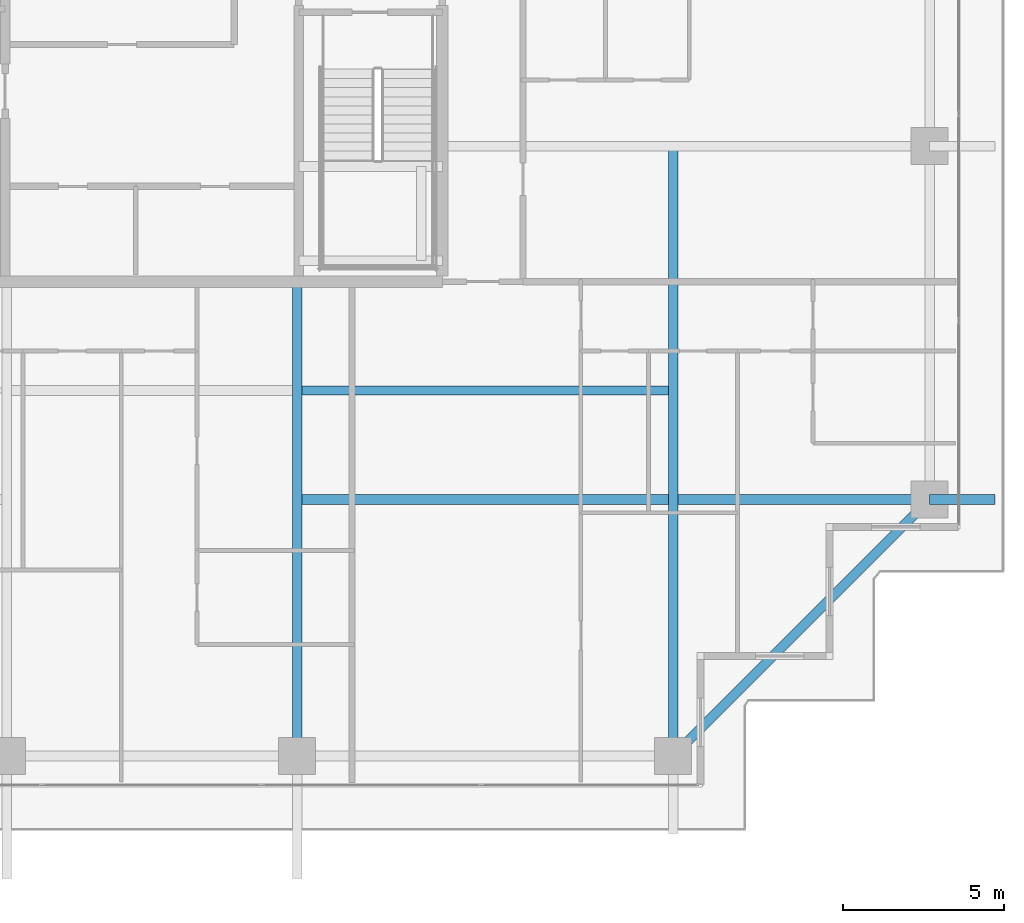
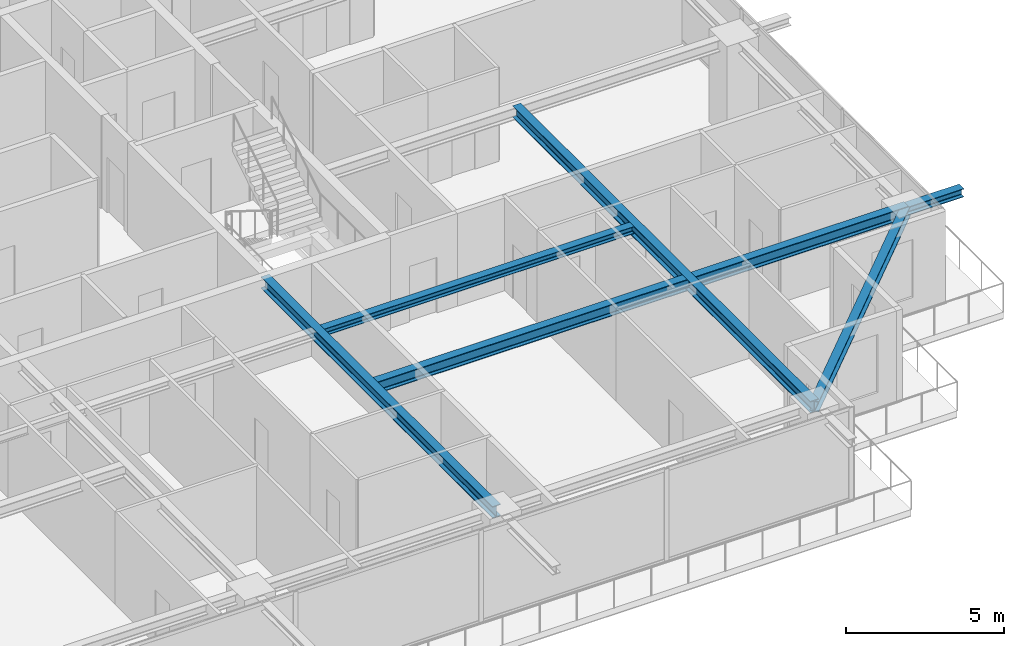
# One storey, part 13 of 38: 6 beams.
"""IFC4 building model written with IfcOpenShell, lengths in metres."""

from ifc_helpers import new_model, si_unit, direction, frame, origin, origin_2d, place, context, subcontext, project, spatial, i_section, extrude, source, transform, mapped, material, material_profile, profile_set, type_object, element, save


model = new_model("IFC4")

# Units and contexts
model_context = context("Model", 3, precision=1e-05, world=origin(), true_north=direction((0.0, 1.0)))
body_context = subcontext(model_context, "Body", "Model", "MODEL_VIEW")
ifc_project = project(units=[si_unit("LENGTHUNIT", "METRE"), si_unit("AREAUNIT", "SQUARE_METRE"), si_unit("VOLUMEUNIT", "CUBIC_METRE"), si_unit("PLANEANGLEUNIT", "RADIAN"), si_unit("MASSUNIT", "GRAM", prefix="KILO")], contexts=[model_context])

# Site, building, storey
site_placement = place(None, origin())
site = spatial("IfcSite", under=ifc_project, at=site_placement, CompositionType="ELEMENT")
building_placement = place(site_placement, origin())
building = spatial("IfcBuilding", under=site, at=building_placement, Name="Serunith Strait Residences", CompositionType="ELEMENT")
storey_placement = place(building_placement, frame((0.0, 0.0, 268.199951171875)))
storey = spatial("IfcBuildingStorey", under=building, at=storey_placement, Name="L67", CompositionType="ELEMENT", Elevation=268.199951171875)

# Beams
ifc_material = material(Name="Steel S355J2", Category="steel")
ifc_material_profile_1 = material_profile(ifc_material, i_section(OverallWidth=0.300048828125, OverallDepth=0.449951171875, WebThickness=0.013916015625, FlangeThickness=0.02587890625, FilletRadius=0.027099609375, at=origin_2d()), Name="HEB 450")
ifc_profile_set_1 = profile_set([ifc_material_profile_1], Name="Steel S355J2")
beam_type_1 = type_object("IfcBeamType", Name="BM-HEB450", PredefinedType="BEAM", material=ifc_profile_set_1)
shared_shape_1 = source(origin(), body_context, "Body", "SweptSolid", [
    extrude(i_section(OverallWidth=0.300048828125, OverallDepth=0.449951171875, WebThickness=0.013916015625, FlangeThickness=0.02587890625, FilletRadius=0.027099609375, at=origin_2d()), origin(), (0.0, 0.0, 1.0), 14.699951171875),
])
beam_1_placement = place(storey_placement, frame((36.89990234375, 16.800048828125, 3.362060546875), z_axis=(0.0, -1.0, 0.0), x_axis=(1.0, 0.0, 0.0)))
element("IfcBeam", 1, at=beam_1_placement, inside=storey, type_object=beam_type_1, Name="L67 Primary Floor Girder TC-S3", PredefinedType="BEAM", context=body_context, shape_type="MappedRepresentation", body=[
    mapped(shared_shape_1, transform((0.0, 0.0, 0.0), scale=1.0)),
])
shared_shape_2 = source(origin(), body_context, "Body", "SweptSolid", [
    extrude(i_section(OverallWidth=0.300048828125, OverallDepth=0.449951171875, WebThickness=0.013916015625, FlangeThickness=0.02587890625, FilletRadius=0.027099609375, at=origin_2d()), origin(), (0.0, 0.0, 1.0), 18.89990234375),
])
beam_2_placement = place(storey_placement, frame((48.550048828125, 21.0, 3.362060546875), z_axis=(0.0, -1.0, 0.0), x_axis=(1.0, 0.0, 0.0)))
element("IfcBeam", 2, at=beam_2_placement, inside=storey, type_object=beam_type_1, Name="L67 Orthogonal Corner Girder TC-S4", PredefinedType="BEAM", context=body_context, shape_type="MappedRepresentation", body=[
    mapped(shared_shape_2, transform((0.0, 0.0, 0.0), scale=1.0)),
])
shared_shape_3 = source(origin(), body_context, "Body", "SweptSolid", [
    extrude(i_section(OverallWidth=0.300048828125, OverallDepth=0.449951171875, WebThickness=0.013916015625, FlangeThickness=0.02587890625, FilletRadius=0.027099609375, at=origin_2d()), origin(), (0.0, 0.0, 1.0), 19.60009765625),
])
beam_3_placement = place(storey_placement, frame((36.89990234375, 10.050048828125, 3.362060546875), z_axis=(1.0, 0.0, 0.0), x_axis=(0.0, 1.0, 0.0)))
element("IfcBeam", 3, at=beam_3_placement, inside=storey, type_object=beam_type_1, Name="L67 Orthogonal Corner Girder TC-E1", PredefinedType="BEAM", context=body_context, shape_type="MappedRepresentation", body=[
    mapped(shared_shape_3, transform((0.0, 0.0, 0.0), scale=1.0)),
])
ifc_material_profile_2 = material_profile(ifc_material, i_section(OverallWidth=0.300048828125, OverallDepth=0.39990234375, WebThickness=0.013427734375, FlangeThickness=0.02392578125, FilletRadius=0.027099609375, at=origin_2d()), Name="HEB 400")
ifc_profile_set_2 = profile_set([ifc_material_profile_2], Name="Steel S355J2")
beam_type_2 = type_object("IfcBeamType", Name="BM-HEB400", PredefinedType="BEAM", material=ifc_profile_set_2)
shared_shape_4 = source(origin(), body_context, "Body", "SweptSolid", [
    extrude(i_section(OverallWidth=0.300048828125, OverallDepth=0.39990234375, WebThickness=0.013427734375, FlangeThickness=0.02392578125, FilletRadius=0.027099609375, at=origin_2d()), origin(), (0.0, 0.0, 1.0), 11.242919921875),
])
beam_4_placement = place(storey_placement, frame((48.550048828125, 2.10009765625, 3.35693359375), z_axis=(0.707106781187, 0.707106781187, 0.0), x_axis=(-0.707106781187, 0.707106781187, 0.0)))
element("IfcBeam", 4, at=beam_4_placement, inside=storey, type_object=beam_type_2, Name="L67 Perimeter Ring Beam 04", PredefinedType="BEAM", context=body_context, shape_type="MappedRepresentation", body=[
    mapped(shared_shape_4, transform((0.0, 0.0, 0.0), scale=1.0)),
])
ifc_material_profile_3 = material_profile(ifc_material, i_section(OverallWidth=0.300048828125, OverallDepth=0.320068359375, WebThickness=0.011474609375, FlangeThickness=0.0205078125, FilletRadius=0.027099609375, at=origin_2d()), Name="HEB 320")
ifc_profile_set_3 = profile_set([ifc_material_profile_3], Name="Steel S355J2")
beam_type_3 = type_object("IfcBeamType", Name="BM-HEB320", PredefinedType="BEAM", material=ifc_profile_set_3)
shared_shape_5 = source(origin(), body_context, "Body", "SweptSolid", [
    extrude(i_section(OverallWidth=0.300048828125, OverallDepth=0.320068359375, WebThickness=0.011474609375, FlangeThickness=0.0205078125, FilletRadius=0.027099609375, at=origin_2d()), origin(), (0.0, 0.0, 1.0), 2.030029296875),
])
beam_5_placement = place(storey_placement, frame((56.5, 10.050048828125, 3.39697265625), z_axis=(1.0, 0.0, 0.0), x_axis=(0.0, 1.0, 0.0)))
element("IfcBeam", 5, at=beam_5_placement, inside=storey, type_object=beam_type_3, Name="L68 Cantilevered Balcony Rib TC-E1", PredefinedType="BEAM", context=body_context, shape_type="MappedRepresentation", body=[
    mapped(shared_shape_5, transform((0.0, 0.0, 0.0), scale=1.0)),
])
ifc_material_profile_4 = material_profile(ifc_material, i_section(OverallWidth=0.280029296875, OverallDepth=0.280029296875, WebThickness=0.010498046875, FlangeThickness=0.01806640625, FilletRadius=0.02392578125, at=origin_2d()), Name="HEB 280")
ifc_profile_set_4 = profile_set([ifc_material_profile_4], Name="Steel S355J2")
beam_type_4 = type_object("IfcBeamType", Name="BM-HEB280", PredefinedType="JOIST", material=ifc_profile_set_4)
shared_shape_6 = source(origin(), body_context, "Body", "SweptSolid", [
    extrude(i_section(OverallWidth=0.280029296875, OverallDepth=0.280029296875, WebThickness=0.010498046875, FlangeThickness=0.01806640625, FilletRadius=0.02392578125, at=origin_2d()), origin(), (0.0, 0.0, 1.0), 11.349853515625),
])
beam_6_placement = place(storey_placement, frame((37.050048828125, 13.425048828125, 3.447021484375), z_axis=(1.0, 0.0, 0.0), x_axis=(0.0, 1.0, 0.0)))
element("IfcBeam", 6, at=beam_6_placement, inside=storey, type_object=beam_type_4, Name="L67 Composite Floor Joist 03", PredefinedType="JOIST", context=body_context, shape_type="MappedRepresentation", body=[
    mapped(shared_shape_6, transform((0.0, 0.0, 0.0), scale=1.0)),
])

save(model, "model.ifc")
